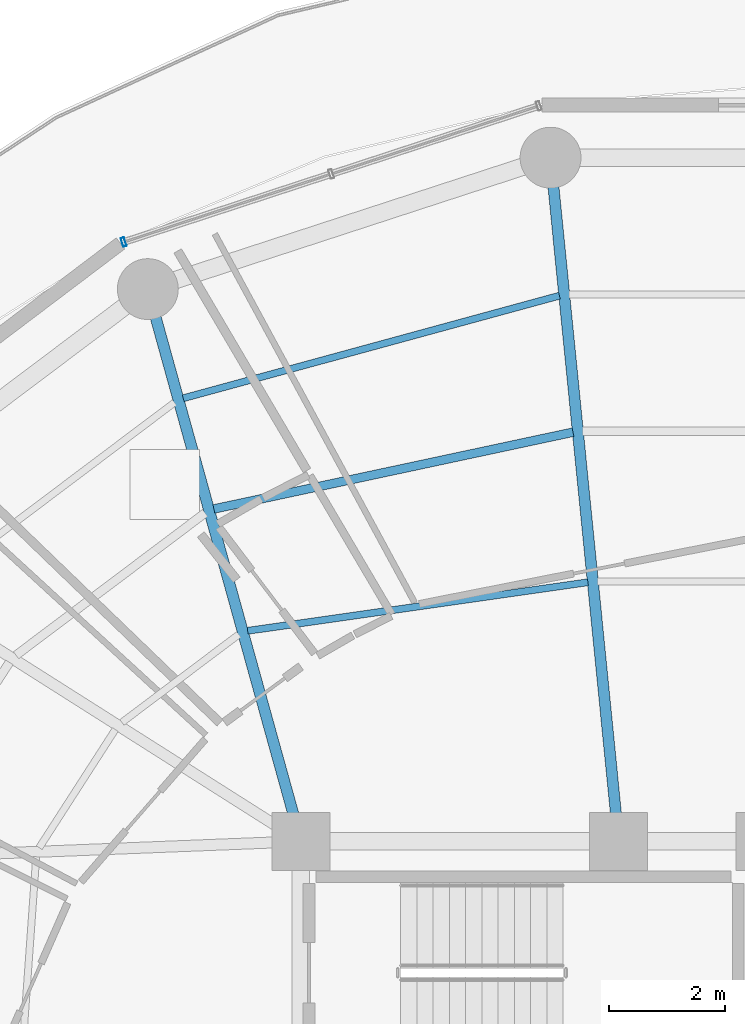
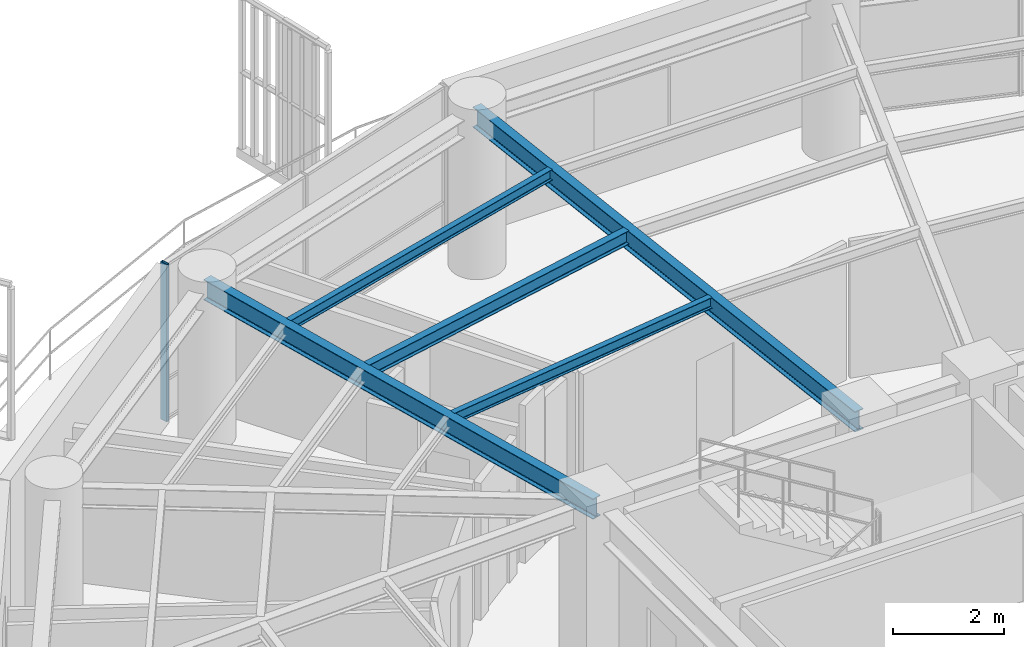
# One storey, part 17 of 30: 5 beams, 1 member, 1 element without a shape of its own.
"""IFC4 building model written with IfcOpenShell, lengths in metres."""

from ifc_helpers import new_model, si_unit, direction, frame, origin, origin_2d, place, context, subcontext, project, spatial, hollow_rectangle, i_section, extrude, material, layer, layer_set, material_profile, profile_set, type_object, element, aggregate, save


model = new_model("IFC4")

# Units and contexts
model_context = context("Model", 3, precision=1e-05, world=origin(), true_north=direction((0.0, 1.0)))
body_context = subcontext(model_context, "Body", "Model", "MODEL_VIEW")
ifc_project = project(units=[si_unit("LENGTHUNIT", "METRE"), si_unit("AREAUNIT", "SQUARE_METRE"), si_unit("VOLUMEUNIT", "CUBIC_METRE"), si_unit("PLANEANGLEUNIT", "RADIAN"), si_unit("MASSUNIT", "GRAM", prefix="KILO")], contexts=[model_context])

# Site, building, storey
site_placement = place(None, origin())
site = spatial("IfcSite", under=ifc_project, at=site_placement, CompositionType="ELEMENT")
building_placement = place(site_placement, origin())
building = spatial("IfcBuilding", under=site, at=building_placement, Name="Kelanora Arch Commons", CompositionType="ELEMENT")
storey_placement = place(building_placement, frame((0.0, 0.0, 234.449951171875)))
storey = spatial("IfcBuildingStorey", under=building, at=storey_placement, Name="L60", CompositionType="ELEMENT", Elevation=234.449951171875)

# Beams
ifc_material_1 = material(Name="Steel S355", Category="steel")
ifc_material_profile_1 = material_profile(ifc_material_1, i_section(OverallWidth=0.14990234375, OverallDepth=0.300048828125, WebThickness=0.007080078125, FlangeThickness=0.0107421875, FilletRadius=0.014892578125, at=origin_2d()), Name="IPE300")
ifc_profile_set_1 = profile_set([ifc_material_profile_1], Name="Steel S355")
beam_type_1 = type_object("IfcBeamType", Name="BM-JST-01", PredefinedType="JOIST", material=ifc_profile_set_1)
beam_1_placement = place(storey_placement, frame((70.69189453125, 72.056396484375, 3.340087890625), z_axis=(-0.977893715981, -0.209102559153, 0.0), x_axis=(0.209102559153, -0.977893715981, 0.0)))
element("IfcBeam", 1, at=beam_1_placement, inside=storey, type_object=beam_type_1, Name="Secondary Chord Joist BJB-10 L60", PredefinedType="JOIST", context=body_context, shape_type="SweptSolid", body=[
    extrude(i_section(OverallWidth=0.14990234375, OverallDepth=0.300048828125, WebThickness=0.007080078125, FlangeThickness=0.0107421875, FilletRadius=0.014892578125, at=origin_2d()), origin(), (0.0, 0.0, 1.0), 6.332763671875),
])
ifc_material_profile_2 = material_profile(ifc_material_1, i_section(OverallWidth=0.1201171875, OverallDepth=0.239990234375, WebThickness=0.006103515625, FlangeThickness=0.009765625, FilletRadius=0.014892578125, at=origin_2d()), Name="IPE240")
ifc_profile_set_2 = profile_set([ifc_material_profile_2], Name="Steel S355")
beam_type_2 = type_object("IfcBeamType", Name="BM-JST-02", PredefinedType="JOIST", material=ifc_profile_set_2)
beam_2_placement = place(storey_placement, frame((70.94921875, 69.46826171875, 3.3701171875), z_axis=(-0.989977480435, -0.141225310164, 0.0), x_axis=(0.141225310164, -0.989977480435, 0.0)))
element("IfcBeam", 2, at=beam_2_placement, inside=storey, type_object=beam_type_2, Name="Secondary Chord Joist BJA-10 L60", PredefinedType="JOIST", context=body_context, shape_type="SweptSolid", body=[
    extrude(i_section(OverallWidth=0.1201171875, OverallDepth=0.239990234375, WebThickness=0.006103515625, FlangeThickness=0.009765625, FilletRadius=0.014892578125, at=origin_2d()), origin(), (0.0, 0.0, 1.0), 5.927734375),
])
beam_3_placement = place(storey_placement, frame((70.457763671875, 74.40966796875, 3.3701171875), z_axis=(-0.964804863594, -0.262966870889, 0.0), x_axis=(0.262966870889, -0.964804863594, 0.0)))
element("IfcBeam", 3, at=beam_3_placement, inside=storey, type_object=beam_type_2, Name="Secondary Chord Joist BJC-10 L60", PredefinedType="JOIST", context=body_context, shape_type="SweptSolid", body=[
    extrude(i_section(OverallWidth=0.1201171875, OverallDepth=0.239990234375, WebThickness=0.006103515625, FlangeThickness=0.009765625, FilletRadius=0.014892578125, at=origin_2d()), origin(), (0.0, 0.0, 1.0), 6.724365234375),
])
ifc_material_profile_3 = material_profile(ifc_material_1, i_section(OverallWidth=0.18994140625, OverallDepth=0.449951171875, WebThickness=0.009521484375, FlangeThickness=0.0146484375, FilletRadius=0.02099609375, at=origin_2d()), Name="IPE450")
ifc_profile_set_3 = profile_set([ifc_material_profile_3], Name="Steel S355")
beam_type_3 = type_object("IfcBeamType", Name="BM-RAD-Z4", PredefinedType="BEAM", material=ifc_profile_set_3)
beam_4_placement = place(storey_placement, frame((71.47998046875, 65.0, 3.26513671875), z_axis=(-0.099193615558, 0.995068151753, 0.0), x_axis=(-0.995068151753, -0.099193615558, 0.0)))
element("IfcBeam", 4, at=beam_4_placement, inside=storey, type_object=beam_type_3, Name="Radial Floor Girder BR-10 L60", PredefinedType="BEAM", context=body_context, shape_type="SweptSolid", body=[
    extrude(i_section(OverallWidth=0.18994140625, OverallDepth=0.449951171875, WebThickness=0.009521484375, FlangeThickness=0.0146484375, FilletRadius=0.02099609375, at=origin_2d()), origin(), (0.0, 0.0, 1.0), 11.848388671875),
])
beam_5_placement = place(storey_placement, frame((66.0, 65.0, 3.26513671875), z_axis=(-0.267120164296, 0.963663228429, 0.0), x_axis=(-0.963663228429, -0.267120164296, 0.0)))
element("IfcBeam", 5, at=beam_5_placement, inside=storey, type_object=beam_type_3, Name="Radial Floor Girder BR-12 L60", PredefinedType="BEAM", context=body_context, shape_type="SweptSolid", body=[
    extrude(i_section(OverallWidth=0.18994140625, OverallDepth=0.449951171875, WebThickness=0.009521484375, FlangeThickness=0.0146484375, FilletRadius=0.02099609375, at=origin_2d()), origin(), (0.0, 0.0, 1.0), 9.8828125),
])

# Curtain wall, member
ifc_material_2 = material(Name="Terracotta ceramic-fritted low-E glass and aluminium", Category="masonry")
ifc_layer = layer(ifc_material_2, 0.175048828125)
ifc_layer_set = layer_set([ifc_layer], Name="Terracotta ceramic-fritted low-E glass and aluminium")
curtain_wall_type = type_object("IfcCurtainWallType", Name="CW-SYS-02", PredefinedType="NOTDEFINED", material=ifc_layer_set)
curtain_wall_placement = place(storey_placement, origin())
curtain_wall = element("IfcCurtainWall", 6, at=curtain_wall_placement, inside=storey, type_object=curtain_wall_type, Name="Unitised Curtain Wall L60-B05", PredefinedType="NOTDEFINED")
ifc_material_3 = material(Name="Powder-coated aluminium terracotta", Category="masonry")
ifc_material_profile_4 = material_profile(ifc_material_3, hollow_rectangle(XDim=0.159912109375, YDim=0.06005859375, WallThickness=0.0048828125, InnerFilletRadius=0.0048828125, OuterFilletRadius=0.010009765625, at=origin_2d()), Name="CWM160x60")
ifc_profile_set_4 = profile_set([ifc_material_profile_4], Name="Powder-coated aluminium terracotta")
member_type = type_object("IfcMemberType", Name="CWM-STD", PredefinedType="MULLION", material=ifc_profile_set_4)
member_placement = place(storey_placement, frame((62.94287109375, 75.33447265625, 0.0), z_axis=(0.0, 0.0, 1.0), x_axis=(0.311582439059, -0.950219124029, 0.0)))
member = element("IfcMember", 7, at=member_placement, type_object=member_type, Name="CW-02 mullion 3", PredefinedType="MULLION", context=body_context, shape_type="SweptSolid", body=[
    extrude(hollow_rectangle(XDim=0.159912109375, YDim=0.06005859375, WallThickness=0.0048828125, InnerFilletRadius=0.0048828125, OuterFilletRadius=0.010009765625, at=origin_2d()), origin(), (0.0, 0.0, 1.0), 3.47509765625),
])
aggregate(curtain_wall, [member])

save(model, "model.ifc")
